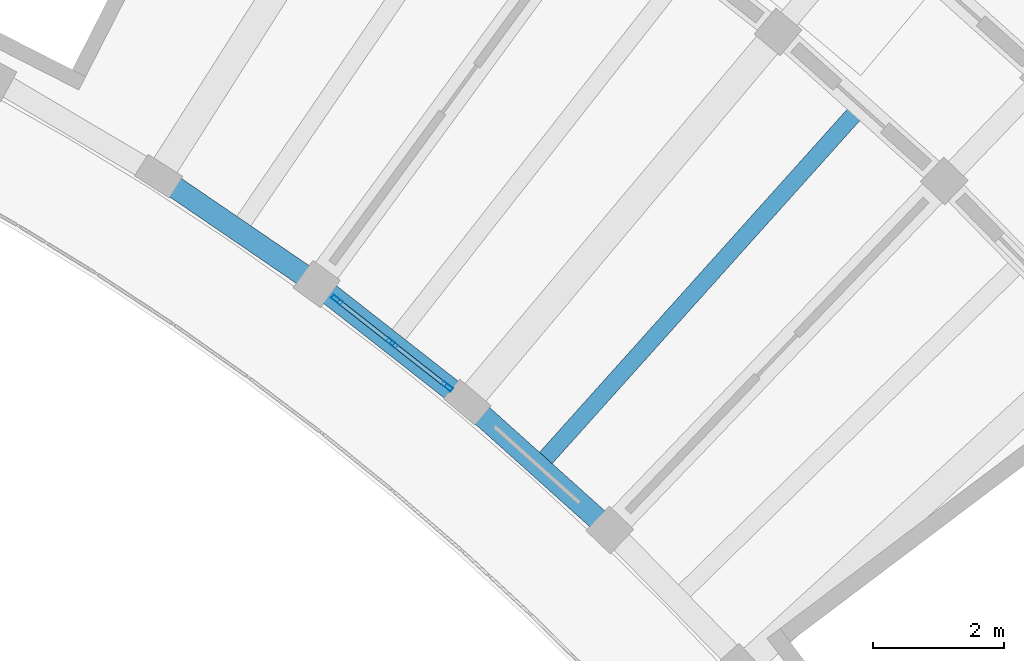
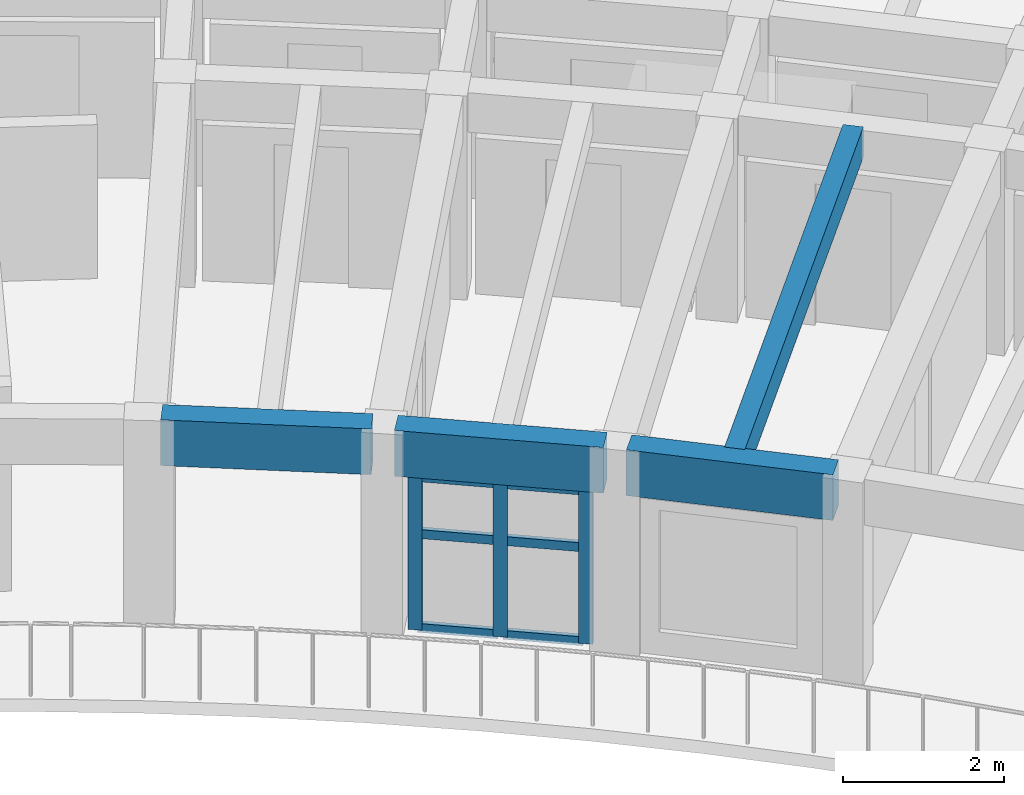
# One storey, part 9 of 32: 9 members, 4 beams, 1 element without a shape of its own.
"""IFC4 building model written with IfcOpenShell, lengths in metres."""

from ifc_helpers import new_model, si_unit, direction, frame, origin, origin_2d, place, context, subcontext, project, spatial, rectangle, hollow_rectangle, extrude, material, material_profile, profile_set, type_object, element, aggregate, save


model = new_model("IFC4")

# Units and contexts
model_context = context("Model", 3, precision=1e-05, world=origin(), true_north=direction((0.0, 1.0)))
body_context = subcontext(model_context, "Body", "Model", "MODEL_VIEW")
ifc_project = project(units=[si_unit("LENGTHUNIT", "METRE"), si_unit("AREAUNIT", "SQUARE_METRE"), si_unit("VOLUMEUNIT", "CUBIC_METRE"), si_unit("PLANEANGLEUNIT", "RADIAN"), si_unit("MASSUNIT", "GRAM", prefix="KILO")], contexts=[model_context])

# Site, building, storey
site_placement = place(None, origin())
site = spatial("IfcSite", under=ifc_project, at=site_placement, CompositionType="ELEMENT")
building_placement = place(site_placement, origin())
building = spatial("IfcBuilding", under=site, at=building_placement, Name="Tanwirah Colonnade Gardens", CompositionType="ELEMENT")
storey_placement = place(building_placement, frame((0.0, 0.0, 42.43994140625)))
storey = spatial("IfcBuildingStorey", under=building, at=storey_placement, Name="L12", CompositionType="ELEMENT", Elevation=42.43994140625)

# Curtain wall, members
ifc_material_1 = material(Name="Bronze-anodised aluminium and solar-control low-E glass", Category="aluminium")
curtain_wall_type = type_object("IfcCurtainWallType", Name="CW-GDN", PredefinedType="NOTDEFINED", material=ifc_material_1)
curtain_wall_placement = place(storey_placement, origin())
curtain_wall = element("IfcCurtainWall", 1, at=curtain_wall_placement, inside=storey, type_object=curtain_wall_type, Name="Curtain Wall CW-B-L12-IN-09", PredefinedType="NOTDEFINED")
ifc_material_2 = material(Name="Bronze-anodised aluminium", Category="aluminium")
ifc_material_profile_1 = material_profile(ifc_material_2, hollow_rectangle(XDim=0.06494140625, YDim=0.179931640625, WallThickness=0.00390625, at=origin_2d()), Name="CW-MUL 65x180x4")
ifc_profile_set_1 = profile_set([ifc_material_profile_1], Name="Bronze-anodised aluminium")
member_type_1 = type_object("IfcMemberType", Name="CWM-65x180", PredefinedType="MULLION", material=ifc_profile_set_1)
member_1_placement = place(storey_placement, frame((149.26318359375, 94.492919921875, 0.0), z_axis=(0.0, 0.0, 1.0), x_axis=(-0.617188542982, -0.786815291166, 0.0)))
member_1 = element("IfcMember", 2, at=member_1_placement, type_object=member_type_1, Name="CW-GDN mullion 1", PredefinedType="MULLION", context=body_context, shape_type="SweptSolid", body=[
    extrude(hollow_rectangle(XDim=0.06494140625, YDim=0.179931640625, WallThickness=0.00390625, at=origin_2d()), origin(), (0.0, 0.0, 1.0), 2.35498046875),
])
member_2_placement = place(storey_placement, frame((148.419189453125, 95.155029296875, 0.0), z_axis=(0.0, 0.0, 1.0), x_axis=(-0.617188542982, -0.786815291166, 0.0)))
member_2 = element("IfcMember", 3, at=member_2_placement, type_object=member_type_1, Name="CW-GDN mullion 2", PredefinedType="MULLION", context=body_context, shape_type="SweptSolid", body=[
    extrude(hollow_rectangle(XDim=0.06494140625, YDim=0.179931640625, WallThickness=0.00390625, at=origin_2d()), origin(), (0.0, 0.0, 1.0), 2.35498046875),
])
member_3_placement = place(storey_placement, frame((147.5751953125, 95.81689453125, 0.0), z_axis=(0.0, 0.0, 1.0), x_axis=(-0.617188542982, -0.786815291166, 0.0)))
member_3 = element("IfcMember", 4, at=member_3_placement, type_object=member_type_1, Name="CW-GDN mullion 3", PredefinedType="MULLION", context=body_context, shape_type="SweptSolid", body=[
    extrude(hollow_rectangle(XDim=0.06494140625, YDim=0.179931640625, WallThickness=0.00390625, at=origin_2d()), origin(), (0.0, 0.0, 1.0), 2.35498046875),
])
ifc_material_profile_2 = material_profile(ifc_material_2, hollow_rectangle(XDim=0.06494140625, YDim=0.135009765625, WallThickness=0.00390625, at=origin_2d()), Name="CW-TRN 65x135x4")
ifc_profile_set_2 = profile_set([ifc_material_profile_2], Name="Bronze-anodised aluminium")
member_type_2 = type_object("IfcMemberType", Name="CWT-65x135", PredefinedType="USERDEFINED", material=ifc_profile_set_2)
member_4_placement = place(storey_placement, frame((149.237548828125, 94.512939453125, 0.032470703125), z_axis=(-0.786906471393, 0.617072285295, 0.0), x_axis=(-0.617072285295, -0.786906471393, 0.0)))
member_4 = element("IfcMember", 5, at=member_4_placement, type_object=member_type_2, Name="CW-GDN transom 1.1", ObjectType="TRANSOM", PredefinedType="USERDEFINED", context=body_context, shape_type="SweptSolid", body=[
    extrude(hollow_rectangle(XDim=0.06494140625, YDim=0.135009765625, WallThickness=0.00390625, at=origin_2d()), origin(), (0.0, 0.0, 1.0), 1.0078125),
])
member_5_placement = place(storey_placement, frame((149.237548828125, 94.512939453125, 1.460205078125), z_axis=(-0.786906471393, 0.617072285295, 0.0), x_axis=(-0.617072285295, -0.786906471393, 0.0)))
member_5 = element("IfcMember", 6, at=member_5_placement, type_object=member_type_2, Name="CW-GDN transom 1.2", ObjectType="TRANSOM", PredefinedType="USERDEFINED", context=body_context, shape_type="SweptSolid", body=[
    extrude(hollow_rectangle(XDim=0.06494140625, YDim=0.135009765625, WallThickness=0.00390625, at=origin_2d()), origin(), (0.0, 0.0, 1.0), 1.0078125),
])
member_6_placement = place(storey_placement, frame((149.237548828125, 94.512939453125, 2.322509765625), z_axis=(-0.786906471393, 0.617072285295, 0.0), x_axis=(-0.617072285295, -0.786906471393, 0.0)))
member_6 = element("IfcMember", 7, at=member_6_placement, type_object=member_type_2, Name="CW-GDN transom 1.3", ObjectType="TRANSOM", PredefinedType="USERDEFINED", context=body_context, shape_type="SweptSolid", body=[
    extrude(hollow_rectangle(XDim=0.06494140625, YDim=0.135009765625, WallThickness=0.00390625, at=origin_2d()), origin(), (0.0, 0.0, 1.0), 1.0078125),
])
member_7_placement = place(storey_placement, frame((148.3935546875, 95.175048828125, 0.032470703125), z_axis=(-0.786814192286, 0.617189943872, 0.0), x_axis=(-0.617189943872, -0.786814192286, 0.0)))
member_7 = element("IfcMember", 8, at=member_7_placement, type_object=member_type_2, Name="CW-GDN transom 2.1", ObjectType="TRANSOM", PredefinedType="USERDEFINED", context=body_context, shape_type="SweptSolid", body=[
    extrude(hollow_rectangle(XDim=0.06494140625, YDim=0.135009765625, WallThickness=0.00390625, at=origin_2d()), origin(), (0.0, 0.0, 1.0), 1.007568359375),
])
member_8_placement = place(storey_placement, frame((148.3935546875, 95.175048828125, 1.460205078125), z_axis=(-0.786814192286, 0.617189943872, 0.0), x_axis=(-0.617189943872, -0.786814192286, 0.0)))
member_8 = element("IfcMember", 9, at=member_8_placement, type_object=member_type_2, Name="CW-GDN transom 2.2", ObjectType="TRANSOM", PredefinedType="USERDEFINED", context=body_context, shape_type="SweptSolid", body=[
    extrude(hollow_rectangle(XDim=0.06494140625, YDim=0.135009765625, WallThickness=0.00390625, at=origin_2d()), origin(), (0.0, 0.0, 1.0), 1.007568359375),
])
member_9_placement = place(storey_placement, frame((148.3935546875, 95.175048828125, 2.322509765625), z_axis=(-0.786814192286, 0.617189943872, 0.0), x_axis=(-0.617189943872, -0.786814192286, 0.0)))
member_9 = element("IfcMember", 10, at=member_9_placement, type_object=member_type_2, Name="CW-GDN transom 2.3", ObjectType="TRANSOM", PredefinedType="USERDEFINED", context=body_context, shape_type="SweptSolid", body=[
    extrude(hollow_rectangle(XDim=0.06494140625, YDim=0.135009765625, WallThickness=0.00390625, at=origin_2d()), origin(), (0.0, 0.0, 1.0), 1.007568359375),
])
aggregate(curtain_wall, [member_1, member_2, member_3, member_4, member_5, member_6, member_7, member_8, member_9])

# Beams
ifc_material_3 = material(Name="Precast concrete C40/50", Category="concrete")
ifc_material_profile_3 = material_profile(ifc_material_3, rectangle(XDim=0.260009765625, YDim=0.4599609375, at=origin_2d()), Name="PC-JST 260x460")
ifc_profile_set_3 = profile_set([ifc_material_profile_3], Name="Precast concrete C40/50")
beam_type_1 = type_object("IfcBeamType", Name="JST-PC260", PredefinedType="JOIST", material=ifc_profile_set_3)
beam_placement = place(storey_placement, frame((150.7587890625, 93.379638671875, 2.8701171875), z_axis=(0.667688404274, 0.744440860511, 0.0), x_axis=(-0.744440860511, 0.667688404274, 0.0)))
element("IfcBeam", 11, at=beam_placement, inside=storey, type_object=beam_type_1, Name="Block B L12 Inner Precast Floor Joist 8", PredefinedType="JOIST", context=body_context, shape_type="SweptSolid", body=[
    extrude(rectangle(XDim=0.260009765625, YDim=0.4599609375, at=origin_2d()), origin(), (0.0, 0.0, 1.0), 7.16015625),
])
ifc_material_profile_4 = material_profile(ifc_material_3, rectangle(XDim=0.3349609375, YDim=0.695068359375, at=origin_2d()), Name="PC-SP 335x695")
ifc_profile_set_4 = profile_set([ifc_material_profile_4], Name="Precast concrete C40/50")
beam_type_2 = type_object("IfcBeamType", Name="SP-PC300", PredefinedType="SPANDREL", material=ifc_profile_set_4)
for number, where, z_axis, x_axis, name in (
    (12, (151.6416015625, 92.394287109375, 2.75244140625), (-0.744400790288, 0.667733077972, 0.0), (-0.667733077972, -0.744400790288, 0.0), "Block B L12 Circumferential Beam 8-R0"),
    (13, (149.453857421875, 94.34326171875, 2.75244140625), (-0.786836625031, 0.617161344795, 0.0), (-0.617161344795, -0.786836625031, 0.0), "Block B L12 Circumferential Beam 9-R0"),
    (14, (147.142578125, 96.143798828125, 2.75244140625), (-0.825800981874, 0.563961646158, 0.0), (-0.563961646158, -0.825800981874, 0.0), "Block B L12 Circumferential Beam 10-R0"),
):
    element("IfcBeam", number, at=place(storey_placement, frame(where, z_axis=z_axis, x_axis=x_axis)), inside=storey, type_object=beam_type_2, Name=name, PredefinedType="SPANDREL", context=body_context, shape_type="SweptSolid", body=[
        extrude(rectangle(XDim=0.3349609375, YDim=0.695068359375, at=origin_2d()), origin(), (0.0, 0.0, 1.0), 2.63037109375),
    ])

save(model, "model.ifc")
